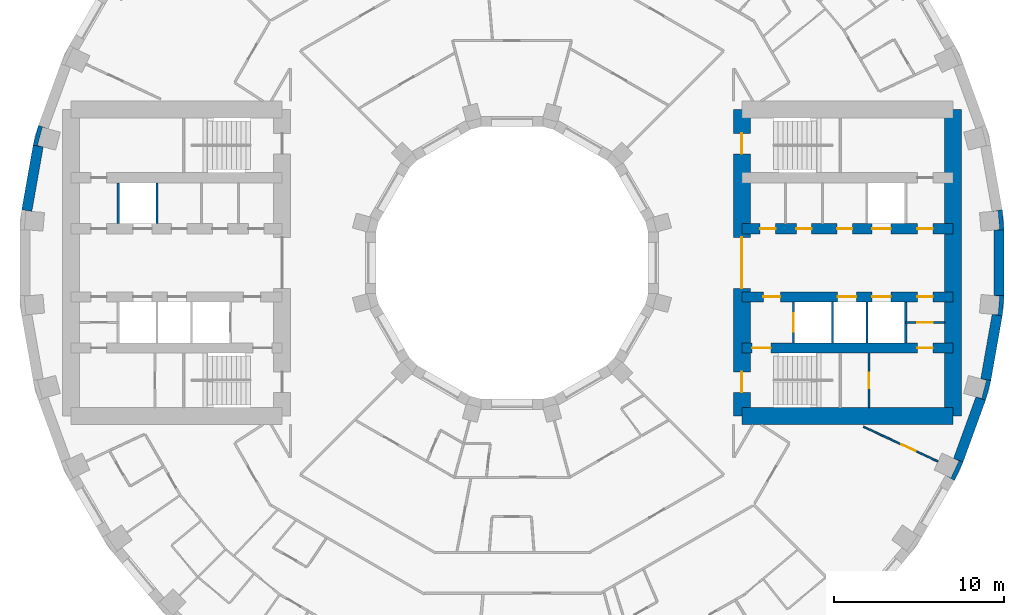
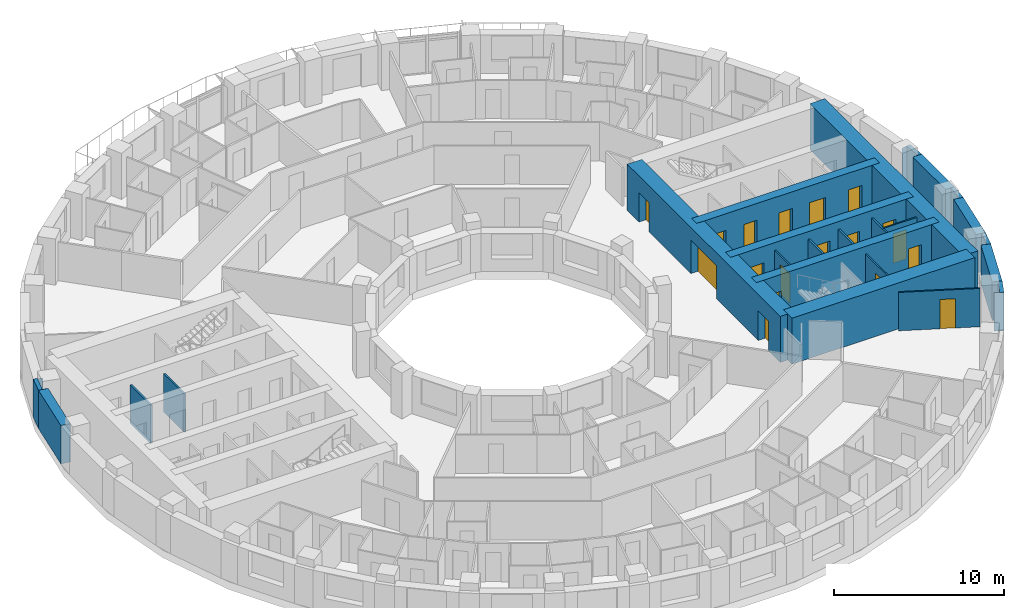
# One storey, part 9 of 15: 24 walls, 18 doors, 18 openings.
"""IFC4 building model written with IfcOpenShell, lengths in metres."""

from ifc_helpers import new_model, si_unit, direction, frame, frame_2d, origin, place, context, subcontext, project, spatial, polyline, rectangle, outline, extrude, material, layer, layer_set, type_object, element, fill, save


model = new_model("IFC4")

# Units and contexts
model_context = context("Model", 3, precision=1e-05, world=origin(), true_north=direction((0.0, 1.0)))
body_context = subcontext(model_context, "Body", "Model", "MODEL_VIEW")
ifc_project = project(units=[si_unit("LENGTHUNIT", "METRE"), si_unit("AREAUNIT", "SQUARE_METRE"), si_unit("VOLUMEUNIT", "CUBIC_METRE"), si_unit("PLANEANGLEUNIT", "RADIAN"), si_unit("MASSUNIT", "GRAM", prefix="KILO")], contexts=[model_context])

# Site, building, storey
site_placement = place(None, origin())
site = spatial("IfcSite", under=ifc_project, at=site_placement, CompositionType="ELEMENT")
building_placement = place(site_placement, origin())
building = spatial("IfcBuilding", under=site, at=building_placement, Name="Saqina Gate Tower", CompositionType="ELEMENT")
storey_placement = place(building_placement, frame((0.0, 0.0, 75.800048828125)))
storey = spatial("IfcBuildingStorey", under=building, at=storey_placement, Name="L21", CompositionType="ELEMENT", Elevation=75.800048828125)

# Walls
ifc_material_1 = material(Name="Brick masonry (red)", Category="masonry")
wall_type_1 = type_object("IfcWallType", Name="BRICK PIER COPING RED", PredefinedType="SOLIDWALL", material=ifc_material_1)
wall_1_placement = place(storey_placement, origin())
element("IfcWall", 1, at=wall_1_placement, inside=storey, type_object=wall_type_1, Name="Pier cap L21 column 1", PredefinedType="SOLIDWALL", context=body_context, shape_type="SweptSolid", body=[
    extrude(outline(polyline([(28.8896484375, 1.9228515625), (28.78466796875, 3.122802734375), (28.19384765625, 3.018798828125), (28.54296875, 3.04931640625), (28.638671875, 1.95361328125), (28.28955078125, 1.9228515625), (28.8896484375, 1.9228515625)])), origin(), (0.0, 0.0, 1.0), 2.75),
])
wall_2_placement = place(storey_placement, origin())
element("IfcWall", 2, at=wall_2_placement, inside=storey, type_object=wall_type_1, Name="Pier cap L21 column 17", PredefinedType="SOLIDWALL", context=body_context, shape_type="SweptSolid", body=[
    extrude(outline(polyline([(-28.11669921875, 6.910400390625), (-27.52587890625, 6.80615234375), (-27.864501953125, 6.896728515625), (-27.57958984375, 7.95947265625), (-27.2412109375, 7.86865234375), (-27.80517578125, 8.073974609375), (-28.11669921875, 6.910400390625)])), origin(), (0.0, 0.0, 1.0), 2.75),
])
wall_3_placement = place(storey_placement, origin())
element("IfcWall", 3, at=wall_3_placement, inside=storey, type_object=wall_type_1, Name="Pier cap L21 column 34", PredefinedType="SOLIDWALL", context=body_context, shape_type="SweptSolid", body=[
    extrude(outline(polyline([(26.48974609375, -11.687744140625), (25.92578125, -11.482666015625), (26.243408203125, -11.630615234375), (25.778564453125, -12.627685546875), (25.4609375, -12.4794921875), (25.980712890625, -12.779541015625), (26.48974609375, -11.687744140625)])), origin(), (0.0, 0.0, 1.0), 2.75),
])
wall_4_placement = place(storey_placement, origin())
element("IfcWall", 4, at=wall_4_placement, inside=storey, type_object=wall_type_1, Name="Pier cap L21 column 35", PredefinedType="SOLIDWALL", context=body_context, shape_type="SweptSolid", body=[
    extrude(outline(polyline([(28.11669921875, -6.910400390625), (27.52587890625, -6.80615234375), (27.864501953125, -6.896728515625), (27.57958984375, -7.95947265625), (27.2412109375, -7.86865234375), (27.80517578125, -8.073974609375), (28.11669921875, -6.910400390625)])), origin(), (0.0, 0.0, 1.0), 2.75),
])
wall_5_placement = place(storey_placement, origin())
element("IfcWall", 5, at=wall_5_placement, inside=storey, type_object=wall_type_1, Name="Pier cap L21 column 36", PredefinedType="SOLIDWALL", context=body_context, shape_type="SweptSolid", body=[
    extrude(outline(polyline([(28.78466796875, -3.122802734375), (28.8896484375, -1.9228515625), (28.28955078125, -1.9228515625), (28.638671875, -1.95361328125), (28.54296875, -3.04931640625), (28.19384765625, -3.018798828125), (28.78466796875, -3.122802734375)])), origin(), (0.0, 0.0, 1.0), 2.75),
])

# Wall, opening, door
ifc_material_2 = material(Name="Gypsum board on steel studs", Category="steel")
ifc_layer_1 = layer(ifc_material_2, 0.10009765625)
ifc_layer_set_1 = layer_set([ifc_layer_1], Name="CORE PARTITION")
wall_type_2 = type_object("IfcWallType", Name="CORE PARTITION", PredefinedType="PARTITIONING", material=ifc_layer_set_1)
wall_6_placement = place(storey_placement, frame((23.1201171875, -3.5, 0.0), z_axis=(0.0, 0.0, 1.0), x_axis=(1.0, 0.0, 0.0)))
wall_6 = element("IfcWall", 6, at=wall_6_placement, inside=storey, type_object=wall_type_2, Name="L21-CP-E09", PredefinedType="PARTITIONING", context=body_context, shape_type="SweptSolid", body=[
    extrude(rectangle(XDim=2.27978515625, YDim=0.10009765625, at=frame_2d((1.139892578125, 0.0))), origin(), (0.0, 0.0, 1.0), 2.75),
])
opening_1_placement = place(wall_6_placement, frame((0.68994140625, 0.0, 0.0)))
opening_1 = element("IfcOpeningElement", 7, at=opening_1_placement, cuts=wall_6, Name="Opening G06-D97", PredefinedType="OPENING", context=body_context, shape_type="SweptSolid", body=[
    extrude(rectangle(XDim=0.89990234375, YDim=2.10009765625, at=frame_2d((0.449951171875, 1.050048828125))), frame((0.0, 0.06201171875, 0.0), z_axis=(0.0, -1.0, 0.0), x_axis=(1.0, 0.0, 0.0)), (0.0, 0.0, 1.0), 0.1240234375),
])
ifc_material_3 = material(Name="Steel-framed fire door leaf, EI 60", Category="steel")
door_type_1 = type_object("IfcDoorType", Name="SERVICE ROOM DOOR 900", OperationType="SINGLE_SWING_LEFT", PredefinedType="DOOR", material=ifc_material_3)
door_1_placement = place(opening_1_placement, frame((0.89990234375, 0.0, 0.0), z_axis=(0.0, 0.0, 1.0), x_axis=(-1.0, 0.0, 0.0)))
door_1 = element("IfcDoor", 8, at=door_1_placement, inside=storey, type_object=door_type_1, Name="L21-CD-E08", OperationType="SINGLE_SWING_LEFT", OverallHeight=2.10009765625, OverallWidth=0.89990234375, PredefinedType="DOOR", context=body_context, shape_type="SweptSolid", body=[
    extrude(rectangle(XDim=0.89990234375, YDim=2.10009765625, at=frame_2d((0.449951171875, 1.050048828125))), frame((0.0, 0.02490234375, 0.0), z_axis=(0.0, -1.0, 0.0), x_axis=(1.0, 0.0, 0.0)), (0.0, 0.0, 1.0), 0.050048828125),
])
fill(opening_1, door_1)

wall_7_placement = place(storey_placement, frame((20.961669921875, -8.5, 0.0), z_axis=(0.0, 0.0, 1.0), x_axis=(0.0, 1.0, 0.0)))
wall_7 = element("IfcWall", 9, at=wall_7_placement, inside=storey, type_object=wall_type_2, Name="L21-CP-E12", PredefinedType="PARTITIONING", context=body_context, shape_type="SweptSolid", body=[
    extrude(rectangle(XDim=3.199951171875, YDim=0.10009765625, at=frame_2d((1.60009765625, 0.0))), origin(), (0.0, 0.0, 1.0), 2.75),
])
opening_2_placement = place(wall_7_placement, frame((1.14990234375, 0.0, 0.0)))
opening_2 = element("IfcOpeningElement", 10, at=opening_2_placement, cuts=wall_7, Name="Opening G06-D98", PredefinedType="OPENING", context=body_context, shape_type="SweptSolid", body=[
    extrude(rectangle(XDim=0.89990234375, YDim=2.10009765625, at=frame_2d((0.449951171875, 1.050048828125))), frame((0.0, 0.06201171875, 0.0), z_axis=(0.0, -1.0, 0.0), x_axis=(1.0, 0.0, 0.0)), (0.0, 0.0, 1.0), 0.1240234375),
])
door_2_placement = place(opening_2_placement, frame((0.89990234375, 0.0, 0.0), z_axis=(0.0, 0.0, 1.0), x_axis=(-1.0, 0.0, 0.0)))
door_2 = element("IfcDoor", 11, at=door_2_placement, inside=storey, type_object=door_type_1, Name="L21-CD-E09", OperationType="SINGLE_SWING_RIGHT", OverallHeight=2.10009765625, OverallWidth=0.89990234375, PredefinedType="DOOR", context=body_context, shape_type="SweptSolid", body=[
    extrude(rectangle(XDim=0.89990234375, YDim=2.10009765625, at=frame_2d((0.449951171875, 1.050048828125))), frame((0.0, 0.02490234375, 0.0), z_axis=(0.0, -1.0, 0.0), x_axis=(1.0, 0.0, 0.0)), (0.0, 0.0, 1.0), 0.050048828125),
])
fill(opening_2, door_2)

# Walls
ifc_material_4 = material(Name="Glazed ceramic tile", Category="ceramic")
ifc_layer_2 = layer(ifc_material_4, 0.60009765625)
ifc_layer_set_2 = layer_set([ifc_layer_2], Name="FW-TILE")
wall_type_3 = type_object("IfcWallType", Name="FW-TILE", PredefinedType="SOLIDWALL", material=ifc_layer_set_2)
wall_8_placement = place(storey_placement, frame((26.207763671875, -11.585205078125, 0.0), z_axis=(0.0, 0.0, 1.0), x_axis=(0.342028474173, 0.939689588564, 0.0)))
element("IfcWall", 12, at=wall_8_placement, inside=storey, type_object=wall_type_3, Name="Facade wall L21 facet 34", PredefinedType="SOLIDWALL", context=body_context, shape_type="SweptSolid", body=[
    extrude(rectangle(XDim=3.845947265625, YDim=0.60009765625, at=frame_2d((1.9228515625, 0.0))), origin(), (0.0, 0.0, 1.0), 2.75),
])
wall_9_placement = place(storey_placement, frame((28.589599609375, -1.9228515625, 0.0), z_axis=(0.0, 0.0, 1.0), x_axis=(0.0, 1.0, 0.0)))
element("IfcWall", 13, at=wall_9_placement, inside=storey, type_object=wall_type_3, Name="Facade wall L21 facet 36", PredefinedType="SOLIDWALL", context=body_context, shape_type="SweptSolid", body=[
    extrude(rectangle(XDim=3.845703125, YDim=0.60009765625, at=frame_2d((1.9228515625, 0.0))), origin(), (0.0, 0.0, 1.0), 2.75),
])
ifc_material_5 = material(Name="Glazed ceramic tile (dark blue)", Category="ceramic")
ifc_layer_3 = layer(ifc_material_5, 0.60009765625)
ifc_layer_set_3 = layer_set([ifc_layer_3], Name="FW-TILE-CB")
wall_type_4 = type_object("IfcWallType", Name="FW-TILE-CB", PredefinedType="SOLIDWALL", material=ifc_layer_set_3)
wall_10_placement = place(storey_placement, frame((-27.8212890625, 6.858154296875, 0.0), z_axis=(0.0, 0.0, 1.0), x_axis=(-0.173687553279, -0.984800809218, 0.0)))
element("IfcWall", 14, at=wall_10_placement, inside=storey, type_object=wall_type_4, Name="Facade wall L21 facet 17", PredefinedType="SOLIDWALL", context=body_context, shape_type="SweptSolid", body=[
    extrude(rectangle(XDim=3.845703125, YDim=0.60009765625, at=frame_2d((1.9228515625, 0.0))), origin(), (0.0, 0.0, 1.0), 2.75),
])
ifc_material_6 = material(Name="Glazed ceramic tile (white)", Category="ceramic")
ifc_layer_4 = layer(ifc_material_6, 0.60009765625)
ifc_layer_set_4 = layer_set([ifc_layer_4], Name="FW-TILE-WH")
wall_type_5 = type_object("IfcWallType", Name="FW-TILE-WH", PredefinedType="SOLIDWALL", material=ifc_layer_set_4)
wall_11_placement = place(storey_placement, frame((27.8212890625, -6.858154296875, 0.0), z_axis=(0.0, 0.0, 1.0), x_axis=(0.173687553279, 0.984800809218, 0.0)))
element("IfcWall", 15, at=wall_11_placement, inside=storey, type_object=wall_type_5, Name="Facade wall L21 facet 35", PredefinedType="SOLIDWALL", context=body_context, shape_type="SweptSolid", body=[
    extrude(rectangle(XDim=3.845703125, YDim=0.60009765625, at=frame_2d((1.9228515625, 0.0))), origin(), (0.0, 0.0, 1.0), 2.75),
])

# Wall, opening, door
ifc_material_7 = material(Name="Gypsum board on steel studs, 100 mm", Category="steel")
ifc_layer_5 = layer(ifc_material_7, 0.10009765625)
ifc_layer_set_5 = layer_set([ifc_layer_5], Name="PARTITION 100")
wall_type_6 = type_object("IfcWallType", Name="PARTITION 100", PredefinedType="PARTITIONING", material=ifc_layer_set_5)
wall_12_placement = place(storey_placement, frame((20.64208984375, -9.6259765625, 0.0), z_axis=(0.0, 0.0, 1.0), x_axis=(0.90635409516, -0.422518939442, 0.0)))
wall_12 = element("IfcWall", 16, at=wall_12_placement, inside=storey, type_object=wall_type_6, Name="PARTITION PW3-48", PredefinedType="PARTITIONING", context=body_context, shape_type="SweptSolid", body=[
    extrude(rectangle(XDim=4.813720703125, YDim=0.10009765625, at=frame_2d((2.40673828125, 0.0))), origin(), (0.0, 0.0, 1.0), 2.75),
])
opening_3_placement = place(wall_12_placement, frame((2.460693359375, 0.0, 0.0)))
opening_3 = element("IfcOpeningElement", 17, at=opening_3_placement, cuts=wall_12, Name="Opening G06-D72", PredefinedType="OPENING", context=body_context, shape_type="SweptSolid", body=[
    extrude(rectangle(XDim=0.89990234375, YDim=2.10009765625, at=frame_2d((0.449951171875, 1.050048828125))), frame((0.0, 0.06201171875, 0.0), z_axis=(0.0, -1.0, 0.0), x_axis=(1.0, 0.0, 0.0)), (0.0, 0.0, 1.0), 0.1240234375),
])
ifc_material_8 = material(Name="Timber door leaf, 900 mm", Category="wood")
door_type_2 = type_object("IfcDoorType", Name="DOOR 900 TIMBER", OperationType="SINGLE_SWING_LEFT", PredefinedType="DOOR", material=ifc_material_8)
door_3_placement = place(opening_3_placement, frame((0.89990234375, 0.0, 0.0), z_axis=(0.0, 0.0, 1.0), x_axis=(-1.0, 0.0, 0.0)))
door_3 = element("IfcDoor", 18, at=door_3_placement, inside=storey, type_object=door_type_2, Name="DOOR G06-D72", OperationType="SINGLE_SWING_LEFT", OverallHeight=2.10009765625, OverallWidth=0.89990234375, PredefinedType="DOOR", context=body_context, shape_type="SweptSolid", body=[
    extrude(rectangle(XDim=0.89990234375, YDim=2.10009765625, at=frame_2d((0.449951171875, 1.050048828125))), frame((0.0, 0.02490234375, 0.0), z_axis=(0.0, -1.0, 0.0), x_axis=(1.0, 0.0, 0.0)), (0.0, 0.0, 1.0), 0.050048828125),
])
fill(opening_3, door_3)

ifc_material_9 = material(Name="Autoclaved aerated concrete block", Category="concrete")
ifc_layer_6 = layer(ifc_material_9, 0.1201171875)
ifc_layer_set_6 = layer_set([ifc_layer_6], Name="SHAFT PARTITION")
wall_type_7 = type_object("IfcWallType", Name="SHAFT PARTITION", PredefinedType="PARTITIONING", material=ifc_layer_set_6)
wall_13_placement = place(storey_placement, frame((16.530029296875, -4.699951171875, 0.0), z_axis=(0.0, 0.0, 1.0), x_axis=(0.0, 1.0, 0.0)))
wall_13 = element("IfcWall", 19, at=wall_13_placement, inside=storey, type_object=wall_type_7, Name="L21-CP-E05", PredefinedType="PARTITIONING", context=body_context, shape_type="SweptSolid", body=[
    extrude(rectangle(XDim=2.39990234375, YDim=0.1201171875, at=frame_2d((1.199951171875, 0.0))), origin(), (0.0, 0.0, 1.0), 2.75),
])
opening_4_placement = place(wall_13_placement, frame((0.64990234375, 0.0, 0.0)))
opening_4 = element("IfcOpeningElement", 20, at=opening_4_placement, cuts=wall_13, Name="Opening G06-LD2", PredefinedType="OPENING", context=body_context, shape_type="SweptSolid", body=[
    extrude(rectangle(XDim=1.10009765625, YDim=2.10009765625, at=frame_2d((0.550048828125, 1.050048828125))), frame((0.0, 0.072021484375, 0.0), z_axis=(0.0, -1.0, 0.0), x_axis=(1.0, 0.0, 0.0)), (0.0, 0.0, 1.0), 0.14404296875),
])
ifc_material_10 = material(Name="Stainless steel", Category="steel")
door_type_3 = type_object("IfcDoorType", Name="LANDING DOOR", OperationType="DOUBLE_DOOR_SLIDING", PredefinedType="DOOR", material=ifc_material_10)
door_4_placement = place(opening_4_placement, origin())
door_4 = element("IfcDoor", 21, at=door_4_placement, inside=storey, type_object=door_type_3, Name="LANDING DOOR FF1", OperationType="DOUBLE_DOOR_SLIDING", OverallHeight=2.10009765625, OverallWidth=1.10009765625, PredefinedType="DOOR", context=body_context, shape_type="SweptSolid", body=[
    extrude(rectangle(XDim=1.10009765625, YDim=2.10009765625, at=frame_2d((0.550048828125, 1.050048828125))), frame((0.0, 0.02490234375, 0.0), z_axis=(0.0, -1.0, 0.0), x_axis=(1.0, 0.0, 0.0)), (0.0, 0.0, 1.0), 0.050048828125),
])
fill(opening_4, door_4)

# Walls
for number, where, z_axis, x_axis, name in (
    (22, (18.81005859375, -4.699951171875, 0.0), (0.0, 0.0, 1.0), (0.0, 1.0, 0.0), "L21-CP-E06"),
    (23, (20.840087890625, -4.699951171875, 0.0), (0.0, 0.0, 1.0), (0.0, 1.0, 0.0), "L21-CP-E07"),
    (24, (23.1201171875, -4.699951171875, 0.0), (0.0, 0.0, 1.0), (0.0, 1.0, 0.0), "L21-CP-E08"),
    (25, (-20.840087890625, 2.300048828125, 0.0), (0.0, 0.0, 1.0), (0.0, 1.0, 0.0), "L21-CP-W03"),
    (26, (-23.1201171875, 2.300048828125, 0.0), (0.0, 0.0, 1.0), (0.0, 1.0, 0.0), "L21-CP-W04"),
):
    element("IfcWall", number, at=place(storey_placement, frame(where, z_axis=z_axis, x_axis=x_axis)), inside=storey, type_object=wall_type_7, Name=name, PredefinedType="PARTITIONING", context=body_context, shape_type="SweptSolid", body=[
        extrude(rectangle(XDim=2.39990234375, YDim=0.1201171875, at=frame_2d((1.199951171875, 0.0))), origin(), (0.0, 0.0, 1.0), 2.75),
    ])

# Wall, openings, doors
ifc_material_11 = material(Name="Concrete C70/85", Category="concrete")
ifc_layer_7 = layer(ifc_material_11, 0.60009765625)
ifc_layer_set_7 = layer_set([ifc_layer_7], Name="Concrete C70/85")
wall_type_8 = type_object("IfcWallType", Name="STR-CORE WALL-A-I", PredefinedType="SHEAR", material=ifc_layer_set_7)
wall_14_placement = place(storey_placement, frame((13.5, -5.0, 0.0), z_axis=(0.0, 0.0, 1.0), x_axis=(1.0, 0.0, 0.0)))
wall_14 = element("IfcWall", 27, at=wall_14_placement, inside=storey, type_object=wall_type_8, Name="CORE WALL L21 E-X2", PredefinedType="SHEAR", context=body_context, shape_type="SweptSolid", body=[
    extrude(rectangle(XDim=12.39990234375, YDim=0.60009765625, at=frame_2d((6.199951171875, 0.0))), origin(), (0.0, 0.0, 1.0), 3.300048828125),
])
opening_5_placement = place(wall_14_placement, frame((10.31005859375, 0.0, 0.0)))
opening_5 = element("IfcOpeningElement", 28, at=opening_5_placement, cuts=wall_14, Name="Opening G06-D99", PredefinedType="OPENING", context=body_context, shape_type="SweptSolid", body=[
    extrude(rectangle(XDim=0.89990234375, YDim=2.10009765625, at=frame_2d((0.449951171875, 1.050048828125))), frame((0.0, 0.31201171875, 0.0), z_axis=(0.0, -1.0, 0.0), x_axis=(1.0, 0.0, 0.0)), (0.0, 0.0, 1.0), 0.6240234375),
])
opening_6_placement = place(wall_14_placement, frame((0.60009765625, 0.0, 0.0)))
opening_6 = element("IfcOpeningElement", 29, at=opening_6_placement, cuts=wall_14, Name="Opening G06-D100", PredefinedType="OPENING", context=body_context, shape_type="SweptSolid", body=[
    extrude(rectangle(XDim=1.10009765625, YDim=2.10009765625, at=frame_2d((0.550048828125, 1.050048828125))), frame((0.0, 0.31201171875, 0.0), z_axis=(0.0, -1.0, 0.0), x_axis=(1.0, 0.0, 0.0)), (0.0, 0.0, 1.0), 0.6240234375),
])
ifc_material_12 = material(Name="Steel", Category="steel")
door_type_4 = type_object("IfcDoorType", Name="FIRE LOBBY DOOR EI 60 WIDE", OperationType="SINGLE_SWING_LEFT", PredefinedType="DOOR", material=ifc_material_12)
door_5_placement = place(opening_6_placement, frame((1.10009765625, 0.0, 0.0), z_axis=(0.0, 0.0, 1.0), x_axis=(-1.0, 0.0, 0.0)))
door_5 = element("IfcDoor", 30, at=door_5_placement, inside=storey, type_object=door_type_4, Name="L21-CD-E11", OperationType="SINGLE_SWING_RIGHT", OverallHeight=2.10009765625, OverallWidth=1.10009765625, PredefinedType="DOOR", context=body_context, shape_type="SweptSolid", body=[
    extrude(rectangle(XDim=1.10009765625, YDim=2.10009765625, at=frame_2d((0.550048828125, 1.050048828125))), frame((0.0, 0.02490234375, 0.0), z_axis=(0.0, -1.0, 0.0), x_axis=(1.0, 0.0, 0.0)), (0.0, 0.0, 1.0), 0.050048828125),
])
fill(opening_6, door_5)
door_6_placement = place(opening_5_placement, frame((0.89990234375, 0.0, 0.0), z_axis=(0.0, 0.0, 1.0), x_axis=(-1.0, 0.0, 0.0)))
door_6 = element("IfcDoor", 31, at=door_6_placement, inside=storey, type_object=door_type_1, Name="L21-CD-E10", OperationType="SINGLE_SWING_LEFT", OverallHeight=2.10009765625, OverallWidth=0.89990234375, PredefinedType="DOOR", context=body_context, shape_type="SweptSolid", body=[
    extrude(rectangle(XDim=0.89990234375, YDim=2.10009765625, at=frame_2d((0.449951171875, 1.050048828125))), frame((0.0, 0.02490234375, 0.0), z_axis=(0.0, -1.0, 0.0), x_axis=(1.0, 0.0, 0.0)), (0.0, 0.0, 1.0), 0.050048828125),
])
fill(opening_5, door_6)

wall_15_placement = place(storey_placement, frame((13.5, 2.0, 0.0), z_axis=(0.0, 0.0, 1.0), x_axis=(1.0, 0.0, 0.0)))
wall_15 = element("IfcWall", 32, at=wall_15_placement, inside=storey, type_object=wall_type_8, Name="CORE WALL L21 E-L1", PredefinedType="SHEAR", context=body_context, shape_type="SweptSolid", body=[
    extrude(rectangle(XDim=12.39990234375, YDim=0.60009765625, at=frame_2d((6.199951171875, 0.0))), origin(), (0.0, 0.0, 1.0), 3.300048828125),
])
opening_7_placement = place(wall_15_placement, frame((7.64990234375, 0.0, 0.0)))
opening_7 = element("IfcOpeningElement", 33, at=opening_7_placement, cuts=wall_15, Name="Opening G06-LD1", PredefinedType="OPENING", context=body_context, shape_type="SweptSolid", body=[
    extrude(rectangle(XDim=1.10009765625, YDim=2.10009765625, at=frame_2d((0.550048828125, 1.050048828125))), frame((0.0, 0.31201171875, 0.0), z_axis=(0.0, -1.0, 0.0), x_axis=(1.0, 0.0, 0.0)), (0.0, 0.0, 1.0), 0.6240234375),
])
opening_8_placement = place(wall_15_placement, frame((1.075927734375, 0.0, 0.0)))
opening_8 = element("IfcOpeningElement", 34, at=opening_8_placement, cuts=wall_15, Name="Opening G06-D90", PredefinedType="OPENING", context=body_context, shape_type="SweptSolid", body=[
    extrude(rectangle(XDim=0.89990234375, YDim=2.10009765625, at=frame_2d((0.449951171875, 1.050048828125))), frame((0.0, 0.31201171875, 0.0), z_axis=(0.0, -1.0, 0.0), x_axis=(1.0, 0.0, 0.0)), (0.0, 0.0, 1.0), 0.6240234375),
])
opening_9_placement = place(wall_15_placement, frame((3.1962890625, 0.0, 0.0)))
opening_9 = element("IfcOpeningElement", 35, at=opening_9_placement, cuts=wall_15, Name="Opening G06-D91", PredefinedType="OPENING", context=body_context, shape_type="SweptSolid", body=[
    extrude(rectangle(XDim=0.89990234375, YDim=2.10009765625, at=frame_2d((0.449951171875, 1.050048828125))), frame((0.0, 0.31201171875, 0.0), z_axis=(0.0, -1.0, 0.0), x_axis=(1.0, 0.0, 0.0)), (0.0, 0.0, 1.0), 0.6240234375),
])
opening_10_placement = place(wall_15_placement, frame((5.59033203125, 0.0, 0.0)))
opening_10 = element("IfcOpeningElement", 36, at=opening_10_placement, cuts=wall_15, Name="Opening G06-D92", PredefinedType="OPENING", context=body_context, shape_type="SweptSolid", body=[
    extrude(rectangle(XDim=0.89990234375, YDim=2.10009765625, at=frame_2d((0.449951171875, 1.050048828125))), frame((0.0, 0.31201171875, 0.0), z_axis=(0.0, -1.0, 0.0), x_axis=(1.0, 0.0, 0.0)), (0.0, 0.0, 1.0), 0.6240234375),
])
opening_11_placement = place(wall_15_placement, frame((10.31005859375, 0.0, 0.0)))
opening_11 = element("IfcOpeningElement", 37, at=opening_11_placement, cuts=wall_15, Name="Opening G06-D93", PredefinedType="OPENING", context=body_context, shape_type="SweptSolid", body=[
    extrude(rectangle(XDim=0.89990234375, YDim=2.10009765625, at=frame_2d((0.449951171875, 1.050048828125))), frame((0.0, 0.31201171875, 0.0), z_axis=(0.0, -1.0, 0.0), x_axis=(1.0, 0.0, 0.0)), (0.0, 0.0, 1.0), 0.6240234375),
])
door_7_placement = place(opening_7_placement, origin())
door_7 = element("IfcDoor", 38, at=door_7_placement, inside=storey, type_object=door_type_3, Name="LANDING DOOR LR1", OperationType="DOUBLE_DOOR_SLIDING", OverallHeight=2.10009765625, OverallWidth=1.10009765625, PredefinedType="DOOR", context=body_context, shape_type="SweptSolid", body=[
    extrude(rectangle(XDim=1.10009765625, YDim=2.10009765625, at=frame_2d((0.550048828125, 1.050048828125))), frame((0.0, 0.02490234375, 0.0), z_axis=(0.0, -1.0, 0.0), x_axis=(1.0, 0.0, 0.0)), (0.0, 0.0, 1.0), 0.050048828125),
])
fill(opening_7, door_7)
door_8_placement = place(opening_8_placement, origin())
door_8 = element("IfcDoor", 39, at=door_8_placement, inside=storey, type_object=door_type_1, Name="L21-CD-E01", OperationType="SINGLE_SWING_RIGHT", OverallHeight=2.10009765625, OverallWidth=0.89990234375, PredefinedType="DOOR", context=body_context, shape_type="SweptSolid", body=[
    extrude(rectangle(XDim=0.89990234375, YDim=2.10009765625, at=frame_2d((0.449951171875, 1.050048828125))), frame((0.0, 0.02490234375, 0.0), z_axis=(0.0, -1.0, 0.0), x_axis=(1.0, 0.0, 0.0)), (0.0, 0.0, 1.0), 0.050048828125),
])
fill(opening_8, door_8)
door_9_placement = place(opening_9_placement, origin())
door_9 = element("IfcDoor", 40, at=door_9_placement, inside=storey, type_object=door_type_1, Name="L21-CD-E02", OperationType="SINGLE_SWING_LEFT", OverallHeight=2.10009765625, OverallWidth=0.89990234375, PredefinedType="DOOR", context=body_context, shape_type="SweptSolid", body=[
    extrude(rectangle(XDim=0.89990234375, YDim=2.10009765625, at=frame_2d((0.449951171875, 1.050048828125))), frame((0.0, 0.02490234375, 0.0), z_axis=(0.0, -1.0, 0.0), x_axis=(1.0, 0.0, 0.0)), (0.0, 0.0, 1.0), 0.050048828125),
])
fill(opening_9, door_9)
door_10_placement = place(opening_10_placement, origin())
door_10 = element("IfcDoor", 41, at=door_10_placement, inside=storey, type_object=door_type_1, Name="L21-CD-E03", OperationType="SINGLE_SWING_LEFT", OverallHeight=2.10009765625, OverallWidth=0.89990234375, PredefinedType="DOOR", context=body_context, shape_type="SweptSolid", body=[
    extrude(rectangle(XDim=0.89990234375, YDim=2.10009765625, at=frame_2d((0.449951171875, 1.050048828125))), frame((0.0, 0.02490234375, 0.0), z_axis=(0.0, -1.0, 0.0), x_axis=(1.0, 0.0, 0.0)), (0.0, 0.0, 1.0), 0.050048828125),
])
fill(opening_10, door_10)
door_11_placement = place(opening_11_placement, origin())
door_11 = element("IfcDoor", 42, at=door_11_placement, inside=storey, type_object=door_type_1, Name="L21-CD-E04", OperationType="SINGLE_SWING_RIGHT", OverallHeight=2.10009765625, OverallWidth=0.89990234375, PredefinedType="DOOR", context=body_context, shape_type="SweptSolid", body=[
    extrude(rectangle(XDim=0.89990234375, YDim=2.10009765625, at=frame_2d((0.449951171875, 1.050048828125))), frame((0.0, 0.02490234375, 0.0), z_axis=(0.0, -1.0, 0.0), x_axis=(1.0, 0.0, 0.0)), (0.0, 0.0, 1.0), 0.050048828125),
])
fill(opening_11, door_11)

wall_16_placement = place(storey_placement, frame((13.5, -2.0, 0.0), z_axis=(0.0, 0.0, 1.0), x_axis=(1.0, 0.0, 0.0)))
wall_16 = element("IfcWall", 43, at=wall_16_placement, inside=storey, type_object=wall_type_8, Name="CORE WALL L21 E-L2", PredefinedType="SHEAR", context=body_context, shape_type="SweptSolid", body=[
    extrude(rectangle(XDim=12.39990234375, YDim=0.60009765625, at=frame_2d((6.199951171875, 0.0))), origin(), (0.0, 0.0, 1.0), 3.300048828125),
])
opening_12_placement = place(wall_16_placement, frame((5.6201171875, 0.0, 0.0)))
opening_12 = element("IfcOpeningElement", 44, at=opening_12_placement, cuts=wall_16, Name="Opening G06-LD3", PredefinedType="OPENING", context=body_context, shape_type="SweptSolid", body=[
    extrude(rectangle(XDim=1.10009765625, YDim=2.10009765625, at=frame_2d((0.550048828125, 1.050048828125))), frame((0.0, 0.31201171875, 0.0), z_axis=(0.0, -1.0, 0.0), x_axis=(1.0, 0.0, 0.0)), (0.0, 0.0, 1.0), 0.6240234375),
])
opening_13_placement = place(wall_16_placement, frame((7.64990234375, 0.0, 0.0)))
opening_13 = element("IfcOpeningElement", 45, at=opening_13_placement, cuts=wall_16, Name="Opening G06-LD4", PredefinedType="OPENING", context=body_context, shape_type="SweptSolid", body=[
    extrude(rectangle(XDim=1.10009765625, YDim=2.10009765625, at=frame_2d((0.550048828125, 1.050048828125))), frame((0.0, 0.31201171875, 0.0), z_axis=(0.0, -1.0, 0.0), x_axis=(1.0, 0.0, 0.0)), (0.0, 0.0, 1.0), 0.6240234375),
])
opening_14_placement = place(wall_16_placement, frame((1.264892578125, 0.0, 0.0)))
opening_14 = element("IfcOpeningElement", 46, at=opening_14_placement, cuts=wall_16, Name="Opening G06-D94", PredefinedType="OPENING", context=body_context, shape_type="SweptSolid", body=[
    extrude(rectangle(XDim=1.0, YDim=2.10009765625, at=frame_2d((0.5, 1.050048828125))), frame((0.0, 0.31201171875, 0.0), z_axis=(0.0, -1.0, 0.0), x_axis=(1.0, 0.0, 0.0)), (0.0, 0.0, 1.0), 0.6240234375),
])
opening_15_placement = place(wall_16_placement, frame((10.31005859375, 0.0, 0.0)))
opening_15 = element("IfcOpeningElement", 47, at=opening_15_placement, cuts=wall_16, Name="Opening G06-D95", PredefinedType="OPENING", context=body_context, shape_type="SweptSolid", body=[
    extrude(rectangle(XDim=0.89990234375, YDim=2.10009765625, at=frame_2d((0.449951171875, 1.050048828125))), frame((0.0, 0.31201171875, 0.0), z_axis=(0.0, -1.0, 0.0), x_axis=(1.0, 0.0, 0.0)), (0.0, 0.0, 1.0), 0.6240234375),
])
ifc_material_13 = material(Name="Steel", Category="steel")
door_type_5 = type_object("IfcDoorType", Name="FIRE LOBBY DOOR EI 60", OperationType="SINGLE_SWING_LEFT", PredefinedType="DOOR", material=ifc_material_13)
door_12_placement = place(opening_14_placement, origin())
door_12 = element("IfcDoor", 48, at=door_12_placement, inside=storey, type_object=door_type_5, Name="L21-CD-E05", OperationType="SINGLE_SWING_LEFT", OverallHeight=2.10009765625, OverallWidth=1.0, PredefinedType="DOOR", context=body_context, shape_type="SweptSolid", body=[
    extrude(rectangle(XDim=1.0, YDim=2.10009765625, at=frame_2d((0.5, 1.050048828125))), frame((0.0, 0.02490234375, 0.0), z_axis=(0.0, -1.0, 0.0), x_axis=(1.0, 0.0, 0.0)), (0.0, 0.0, 1.0), 0.050048828125),
])
fill(opening_14, door_12)
door_13_placement = place(opening_12_placement, origin())
door_13 = element("IfcDoor", 49, at=door_13_placement, inside=storey, type_object=door_type_3, Name="LANDING DOOR LR3", OperationType="DOUBLE_DOOR_SLIDING", OverallHeight=2.10009765625, OverallWidth=1.10009765625, PredefinedType="DOOR", context=body_context, shape_type="SweptSolid", body=[
    extrude(rectangle(XDim=1.10009765625, YDim=2.10009765625, at=frame_2d((0.550048828125, 1.050048828125))), frame((0.0, 0.02490234375, 0.0), z_axis=(0.0, -1.0, 0.0), x_axis=(1.0, 0.0, 0.0)), (0.0, 0.0, 1.0), 0.050048828125),
])
fill(opening_12, door_13)
door_14_placement = place(opening_13_placement, origin())
door_14 = element("IfcDoor", 50, at=door_14_placement, inside=storey, type_object=door_type_3, Name="LANDING DOOR LR2", OperationType="DOUBLE_DOOR_SLIDING", OverallHeight=2.10009765625, OverallWidth=1.10009765625, PredefinedType="DOOR", context=body_context, shape_type="SweptSolid", body=[
    extrude(rectangle(XDim=1.10009765625, YDim=2.10009765625, at=frame_2d((0.550048828125, 1.050048828125))), frame((0.0, 0.02490234375, 0.0), z_axis=(0.0, -1.0, 0.0), x_axis=(1.0, 0.0, 0.0)), (0.0, 0.0, 1.0), 0.050048828125),
])
fill(opening_13, door_14)
door_15_placement = place(opening_15_placement, frame((0.89990234375, 0.0, 0.0), z_axis=(0.0, 0.0, 1.0), x_axis=(-1.0, 0.0, 0.0)))
door_15 = element("IfcDoor", 51, at=door_15_placement, inside=storey, type_object=door_type_1, Name="L21-CD-E06", OperationType="SINGLE_SWING_LEFT", OverallHeight=2.10009765625, OverallWidth=0.89990234375, PredefinedType="DOOR", context=body_context, shape_type="SweptSolid", body=[
    extrude(rectangle(XDim=0.89990234375, YDim=2.10009765625, at=frame_2d((0.449951171875, 1.050048828125))), frame((0.0, 0.02490234375, 0.0), z_axis=(0.0, -1.0, 0.0), x_axis=(1.0, 0.0, 0.0)), (0.0, 0.0, 1.0), 0.050048828125),
])
fill(opening_15, door_15)

ifc_material_14 = material(Name="Concrete C70/85", Category="concrete")
ifc_layer_8 = layer(ifc_material_14, 1.0)
ifc_layer_set_8 = layer_set([ifc_layer_8], Name="Concrete C70/85")
wall_type_9 = type_object("IfcWallType", Name="STR-CORE WALL-A-O", PredefinedType="SHEAR", material=ifc_layer_set_8)
wall_17_placement = place(storey_placement, frame((13.5, -9.0, 0.0), z_axis=(0.0, 0.0, 1.0), x_axis=(0.0, 1.0, 0.0)))
wall_17 = element("IfcWall", 52, at=wall_17_placement, inside=storey, type_object=wall_type_9, Name="CORE WALL L21 E-W1", PredefinedType="SHEAR", context=body_context, shape_type="SweptSolid", body=[
    extrude(rectangle(XDim=18.0, YDim=1.0, at=frame_2d((9.0, 0.0))), origin(), (0.0, 0.0, 1.0), 3.300048828125),
])
opening_16_placement = place(wall_17_placement, frame((15.39990234375, 0.0, 0.0)))
opening_16 = element("IfcOpeningElement", 53, at=opening_16_placement, cuts=wall_17, Name="Opening G06-D101", PredefinedType="OPENING", context=body_context, shape_type="SweptSolid", body=[
    extrude(rectangle(XDim=1.199951171875, YDim=2.10009765625, at=frame_2d((0.60009765625, 1.050048828125))), frame((0.0, 0.511962890625, 0.0), z_axis=(0.0, -1.0, 0.0), x_axis=(1.0, 0.0, 0.0)), (0.0, 0.0, 1.0), 1.02392578125),
])
opening_17_placement = place(wall_17_placement, frame((1.39990234375, 0.0, 0.0)))
opening_17 = element("IfcOpeningElement", 54, at=opening_17_placement, cuts=wall_17, Name="Opening G06-D102", PredefinedType="OPENING", context=body_context, shape_type="SweptSolid", body=[
    extrude(rectangle(XDim=1.199951171875, YDim=2.10009765625, at=frame_2d((0.60009765625, 1.050048828125))), frame((0.0, 0.511962890625, 0.0), z_axis=(0.0, -1.0, 0.0), x_axis=(1.0, 0.0, 0.0)), (0.0, 0.0, 1.0), 1.02392578125),
])
opening_18_placement = place(wall_17_placement, frame((7.5, 0.0, 0.0)))
opening_18 = element("IfcOpeningElement", 55, at=opening_18_placement, cuts=wall_17, Name="Opening G06-D103", PredefinedType="OPENING", context=body_context, shape_type="SweptSolid", body=[
    extrude(rectangle(XDim=3.0, YDim=2.39990234375, at=frame_2d((1.5, 1.199951171875))), frame((0.0, 0.511962890625, 0.0), z_axis=(0.0, -1.0, 0.0), x_axis=(1.0, 0.0, 0.0)), (0.0, 0.0, 1.0), 1.02392578125),
])
ifc_material_15 = material(Name="Steel", Category="steel")
door_type_6 = type_object("IfcDoorType", Name="FIRE DOOR EI 60", OperationType="SINGLE_SWING_LEFT", PredefinedType="DOOR", material=ifc_material_15)
door_16_placement = place(opening_16_placement, frame((1.199951171875, 0.0, 0.0), z_axis=(0.0, 0.0, 1.0), x_axis=(-1.0, 0.0, 0.0)))
door_16 = element("IfcDoor", 56, at=door_16_placement, inside=storey, type_object=door_type_6, Name="L21-CD-E12", OperationType="SINGLE_SWING_LEFT", OverallHeight=2.10009765625, OverallWidth=1.199951171875, PredefinedType="DOOR", context=body_context, shape_type="SweptSolid", body=[
    extrude(rectangle(XDim=1.199951171875, YDim=2.10009765625, at=frame_2d((0.60009765625, 1.050048828125))), frame((0.0, 0.02490234375, 0.0), z_axis=(0.0, -1.0, 0.0), x_axis=(1.0, 0.0, 0.0)), (0.0, 0.0, 1.0), 0.050048828125),
])
fill(opening_16, door_16)
door_17_placement = place(opening_17_placement, frame((1.199951171875, 0.0, 0.0), z_axis=(0.0, 0.0, 1.0), x_axis=(-1.0, 0.0, 0.0)))
door_17 = element("IfcDoor", 57, at=door_17_placement, inside=storey, type_object=door_type_6, Name="L21-CD-E13", OperationType="SINGLE_SWING_RIGHT", OverallHeight=2.10009765625, OverallWidth=1.199951171875, PredefinedType="DOOR", context=body_context, shape_type="SweptSolid", body=[
    extrude(rectangle(XDim=1.199951171875, YDim=2.10009765625, at=frame_2d((0.60009765625, 1.050048828125))), frame((0.0, 0.02490234375, 0.0), z_axis=(0.0, -1.0, 0.0), x_axis=(1.0, 0.0, 0.0)), (0.0, 0.0, 1.0), 0.050048828125),
])
fill(opening_17, door_17)
ifc_material_16 = material(Name="Steel and fire-resisting glass", Category="steel")
door_type_7 = type_object("IfcDoorType", Name="LOBBY SCREEN DOOR", OperationType="DOUBLE_DOOR_SLIDING", PredefinedType="DOOR", material=ifc_material_16)
door_18_placement = place(opening_18_placement, origin())
door_18 = element("IfcDoor", 58, at=door_18_placement, inside=storey, type_object=door_type_7, Name="L21-CD-E14", OperationType="DOUBLE_DOOR_SLIDING", OverallHeight=2.39990234375, OverallWidth=3.0, PredefinedType="DOOR", context=body_context, shape_type="SweptSolid", body=[
    extrude(rectangle(XDim=3.0, YDim=2.39990234375, at=frame_2d((1.5, 1.199951171875))), frame((0.0, 0.02490234375, 0.0), z_axis=(0.0, -1.0, 0.0), x_axis=(1.0, 0.0, 0.0)), (0.0, 0.0, 1.0), 0.050048828125),
])
fill(opening_18, door_18)

# Walls
wall_18_placement = place(storey_placement, frame((25.89990234375, -9.0, 0.0), z_axis=(0.0, 0.0, 1.0), x_axis=(0.0, 1.0, 0.0)))
element("IfcWall", 59, at=wall_18_placement, inside=storey, type_object=wall_type_9, Name="CORE WALL L21 E-W2", PredefinedType="SHEAR", context=body_context, shape_type="SweptSolid", body=[
    extrude(rectangle(XDim=18.0, YDim=1.0, at=frame_2d((9.0, 0.0))), origin(), (0.0, 0.0, 1.0), 3.300048828125),
])
wall_19_placement = place(storey_placement, frame((13.5, -9.0, 0.0), z_axis=(0.0, 0.0, 1.0), x_axis=(1.0, 0.0, 0.0)))
element("IfcWall", 60, at=wall_19_placement, inside=storey, type_object=wall_type_9, Name="CORE WALL L21 E-SE", PredefinedType="SHEAR", context=body_context, shape_type="SweptSolid", body=[
    extrude(rectangle(XDim=12.39990234375, YDim=1.0, at=frame_2d((6.199951171875, 0.0))), origin(), (0.0, 0.0, 1.0), 3.300048828125),
])

save(model, "model.ifc")
